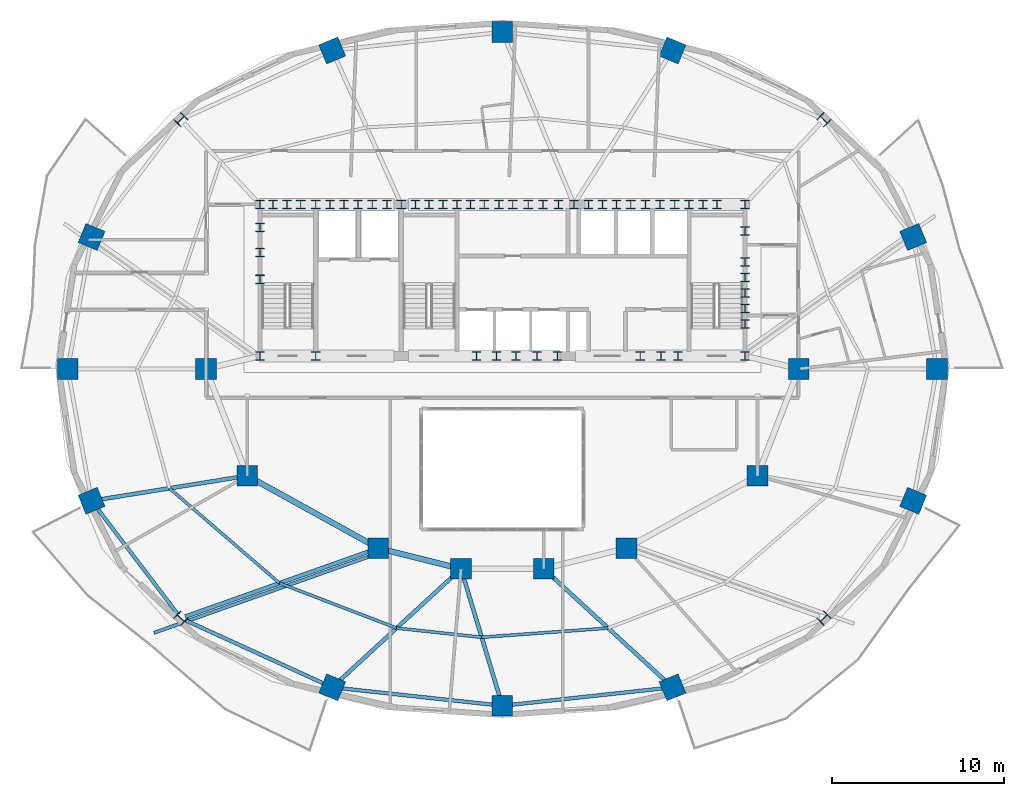
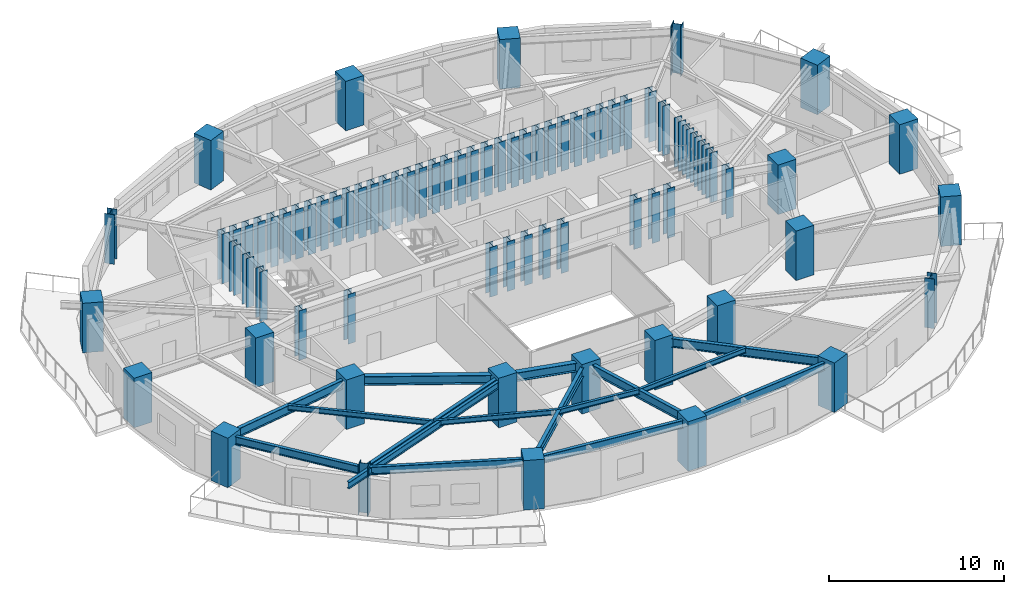
# One storey, part 1 of 13: 78 columns, 16 beams.
"""IFC4 building model written with IfcOpenShell, lengths in metres."""

from ifc_helpers import new_model, si_unit, direction, frame, origin, origin_2d, place, context, subcontext, project, spatial, rectangle, i_section, extrude, material, material_profile, profile_set, type_object, element, save


model = new_model("IFC4")

# Units and contexts
model_context = context("Model", 3, precision=1e-05, world=origin(), true_north=direction((0.0, 1.0)))
body_context = subcontext(model_context, "Body", "Model", "MODEL_VIEW")
ifc_project = project(units=[si_unit("LENGTHUNIT", "METRE"), si_unit("AREAUNIT", "SQUARE_METRE"), si_unit("VOLUMEUNIT", "CUBIC_METRE"), si_unit("PLANEANGLEUNIT", "RADIAN"), si_unit("MASSUNIT", "GRAM", prefix="KILO")], contexts=[model_context])

# Site, building, storey
site_placement = place(None, origin())
site = spatial("IfcSite", under=ifc_project, at=site_placement, CompositionType="ELEMENT")
building_placement = place(site_placement, origin())
building = spatial("IfcBuilding", under=site, at=building_placement, Name="Haldorwick Loom Tower", CompositionType="ELEMENT")
storey_placement = place(building_placement, frame((0.0, 0.0, 139.10009765625)))
storey = spatial("IfcBuildingStorey", under=building, at=storey_placement, Name="L37", CompositionType="ELEMENT", Elevation=139.10009765625)

# Columns
ifc_material_1 = material(Name="Concrete C60 (60 MPa)", Category="concrete")
ifc_material_profile_1 = material_profile(ifc_material_1, rectangle(XDim=1.199951171875, YDim=1.199951171875, at=origin_2d()), Name="RC1200X1200", Category="concrete")
ifc_profile_set_1 = profile_set([ifc_material_profile_1], Name="Concrete C60 (60 MPa)")
column_type_1 = type_object("IfcColumnType", Name="STR-COL-RC1200", PredefinedType="COLUMN", material=ifc_profile_set_1)
for number, where, z_axis, x_axis, name in (
    (1, (53.199951171875, 26.0, 0.0), (0.0, 0.0, 1.0), (1.0, 0.0, 0.0), "L37 Inner Column IC-01"),
    (2, (50.800048828125, 19.800048828125, 0.0), (0.0, 0.0, 1.0), (1.0, 0.0, 0.0), "L37 Inner Column IC-02"),
    (3, (43.199951171875, 15.60009765625, 0.0), (0.0, 0.0, 1.0), (1.0, 0.0, 0.0), "L37 Inner Column IC-03"),
    (4, (38.39990234375, 14.39990234375, 0.0), (0.0, 0.0, 1.0), (1.0, 0.0, 0.0), "L37 Inner Column IC-04"),
    (5, (33.60009765625, 14.39990234375, 0.0), (0.0, 0.0, 1.0), (1.0, 0.0, 0.0), "L37 Inner Column IC-05"),
    (6, (28.800048828125, 15.60009765625, 0.0), (0.0, 0.0, 1.0), (1.0, 0.0, 0.0), "L37 Inner Column IC-06"),
    (7, (21.199951171875, 19.800048828125, 0.0), (0.0, 0.0, 1.0), (1.0, 0.0, 0.0), "L37 Inner Column IC-07"),
    (8, (18.800048828125, 26.0, 0.0), (0.0, 0.0, 1.0), (1.0, 0.0, 0.0), "L37 Inner Column IC-08"),
    (9, (61.217041015625, 26.0, 0.0), (0.0, 0.0, 1.0), (1.0, 0.0, 0.0), "L37 Perimeter Pier Column P01"),
    (10, (59.836181640625, 33.65380859375, 0.0), (0.0, 0.0, 1.0), (0.923879532511, 0.382683432365, 0.0), "L37 Perimeter Pier Column P02"),
    (11, (45.873291015625, 44.4775390625, 0.0), (0.0, 0.0, 1.0), (0.382683432365, 0.923879532511, 0.0), "L37 Perimeter Pier Column P04"),
    (12, (36.0, 45.544677734375, 0.0), (0.0, 0.0, 1.0), (0.0, 1.0, 0.0), "L37 Perimeter Pier Column P05"),
    (13, (26.126708984375, 44.4775390625, 0.0), (0.0, 0.0, 1.0), (-0.382683432365, 0.923879532511, 0.0), "L37 Perimeter Pier Column P06"),
    (14, (12.163818359375, 33.65380859375, 0.0), (0.0, 0.0, 1.0), (-0.923879532511, 0.382683432365, 0.0), "L37 Perimeter Pier Column P08"),
    (15, (10.782958984375, 26.0, 0.0), (0.0, 0.0, 1.0), (-1.0, 0.0, 0.0), "L37 Perimeter Pier Column P09"),
    (16, (12.163818359375, 18.34619140625, 0.0), (0.0, 0.0, 1.0), (-0.923879532511, -0.382683432365, 0.0), "L37 Perimeter Pier Column P10"),
    (17, (26.126708984375, 7.5224609375, 0.0), (0.0, 0.0, 1.0), (-0.382683432365, -0.923879532511, 0.0), "L37 Perimeter Pier Column P12"),
    (18, (36.0, 6.455322265625, 0.0), (0.0, 0.0, 1.0), (0.0, -1.0, 0.0), "L37 Perimeter Pier Column P13"),
    (19, (45.873291015625, 7.5224609375, 0.0), (0.0, 0.0, 1.0), (0.382683432365, -0.923879532511, 0.0), "L37 Perimeter Pier Column P14"),
    (20, (59.836181640625, 18.34619140625, 0.0), (0.0, 0.0, 1.0), (0.923879532511, -0.382683432365, 0.0), "L37 Perimeter Pier Column P16"),
):
    element("IfcColumn", number, at=place(storey_placement, frame(where, z_axis=z_axis, x_axis=x_axis)), inside=storey, type_object=column_type_1, Name=name, PredefinedType="COLUMN", context=body_context, shape_type="SweptSolid", body=[
        extrude(rectangle(XDim=1.199951171875, YDim=1.199951171875, at=origin_2d()), origin(), (0.0, 0.0, 1.0), 3.449951171875),
    ])
ifc_material_2 = material(Name="Steel CSA G40.21 350WT", Category="steel")
ifc_material_profile_2 = material_profile(ifc_material_2, i_section(OverallWidth=0.5, OverallDepth=0.5, WebThickness=0.02197265625, FlangeThickness=0.031982421875, at=origin_2d()), Name="WWF500X500", Category="steel")
ifc_profile_set_2 = profile_set([ifc_material_profile_2], Name="Steel CSA G40.21 350WT")
column_type_2 = type_object("IfcColumnType", Name="STR-COL-WWF500", PredefinedType="COLUMN", material=ifc_profile_set_2)
for number, where, z_axis, x_axis, name in (
    (21, (21.929931640625, 35.550048828125, 0.0), (0.0, 0.0, 1.0), (1.0, 0.0, 0.0), "L37 Core Pilaster CB-01"),
    (22, (23.5, 35.550048828125, 0.0), (0.0, 0.0, 1.0), (1.0, 0.0, 0.0), "L37 Core Pilaster CB-02"),
    (23, (25.169921875, 35.550048828125, 0.0), (0.0, 0.0, 1.0), (1.0, 0.0, 0.0), "L37 Core Pilaster CB-03"),
    (24, (26.800048828125, 35.550048828125, 0.0), (0.0, 0.0, 1.0), (1.0, 0.0, 0.0), "L37 Core Pilaster CB-04"),
    (25, (28.449951171875, 35.550048828125, 0.0), (0.0, 0.0, 1.0), (1.0, 0.0, 0.0), "L37 Core Pilaster CB-05"),
    (26, (30.1298828125, 35.550048828125, 0.0), (0.0, 0.0, 1.0), (1.0, 0.0, 0.0), "L37 Core Pilaster CB-06"),
    (27, (31.75, 35.550048828125, 0.0), (0.0, 0.0, 1.0), (1.0, 0.0, 0.0), "L37 Core Pilaster CB-07"),
    (28, (33.3701171875, 35.550048828125, 0.0), (0.0, 0.0, 1.0), (1.0, 0.0, 0.0), "L37 Core Pilaster CB-08"),
    (29, (34.949951171875, 35.550048828125, 0.0), (0.0, 0.0, 1.0), (1.0, 0.0, 0.0), "L37 Core Pilaster CB-09"),
    (30, (36.60009765625, 35.550048828125, 0.0), (0.0, 0.0, 1.0), (1.0, 0.0, 0.0), "L37 Core Pilaster CB-10"),
    (31, (38.35009765625, 35.550048828125, 0.0), (0.0, 0.0, 1.0), (1.0, 0.0, 0.0), "L37 Core Pilaster CB-11"),
    (32, (40.14990234375, 35.550048828125, 0.0), (0.0, 0.0, 1.0), (1.0, 0.0, 0.0), "L37 Core Pilaster CB-12"),
    (33, (41.800048828125, 35.550048828125, 0.0), (0.0, 0.0, 1.0), (1.0, 0.0, 0.0), "L37 Core Pilaster CB-13"),
    (34, (43.449951171875, 35.550048828125, 0.0), (0.0, 0.0, 1.0), (1.0, 0.0, 0.0), "L37 Core Pilaster CB-14"),
    (35, (45.14990234375, 35.550048828125, 0.0), (0.0, 0.0, 1.0), (1.0, 0.0, 0.0), "L37 Core Pilaster CB-15"),
    (36, (46.830078125, 35.550048828125, 0.0), (0.0, 0.0, 1.0), (1.0, 0.0, 0.0), "L37 Core Pilaster CB-16"),
    (37, (48.449951171875, 35.550048828125, 0.0), (0.0, 0.0, 1.0), (1.0, 0.0, 0.0), "L37 Core Pilaster CB-17"),
    (38, (50.070068359375, 35.550048828125, 0.0), (0.0, 0.0, 1.0), (1.0, 0.0, 0.0), "L37 Core Pilaster CB-18"),
    (39, (21.929931640625, 26.75, 0.0), (0.0, 0.0, 1.0), (1.0, 0.0, 0.0), "L37 Core Pilaster CB-19"),
    (40, (25.169921875, 26.75, 0.0), (0.0, 0.0, 1.0), (1.0, 0.0, 0.0), "L37 Core Pilaster CB-20"),
    (41, (34.5, 26.75, 0.0), (0.0, 0.0, 1.0), (1.0, 0.0, 0.0), "L37 Core Pilaster CB-21"),
    (42, (36.800048828125, 26.75, 0.0), (0.0, 0.0, 1.0), (1.0, 0.0, 0.0), "L37 Core Pilaster CB-22"),
    (43, (39.199951171875, 26.75, 0.0), (0.0, 0.0, 1.0), (1.0, 0.0, 0.0), "L37 Core Pilaster CB-23"),
    (44, (45.199951171875, 26.75, 0.0), (0.0, 0.0, 1.0), (1.0, 0.0, 0.0), "L37 Core Pilaster CB-24"),
    (45, (50.070068359375, 26.75, 0.0), (0.0, 0.0, 1.0), (1.0, 0.0, 0.0), "L37 Core Pilaster CB-25"),
    (46, (21.929931640625, 31.199951171875, 0.0), (0.0, 0.0, 1.0), (1.0, 0.0, 0.0), "L37 Core Pilaster CB-26"),
    (47, (21.929931640625, 32.75, 0.0), (0.0, 0.0, 1.0), (1.0, 0.0, 0.0), "L37 Core Pilaster CB-27"),
    (48, (21.929931640625, 34.199951171875, 0.0), (0.0, 0.0, 1.0), (1.0, 0.0, 0.0), "L37 Core Pilaster CB-28"),
    (49, (50.070068359375, 28.60009765625, 0.0), (0.0, 0.0, 1.0), (1.0, 0.0, 0.0), "L37 Core Pilaster CB-29"),
    (50, (50.070068359375, 30.39990234375, 0.0), (0.0, 0.0, 1.0), (1.0, 0.0, 0.0), "L37 Core Pilaster CB-30"),
    (51, (50.070068359375, 32.199951171875, 0.0), (0.0, 0.0, 1.0), (1.0, 0.0, 0.0), "L37 Core Pilaster CB-31"),
    (52, (50.070068359375, 34.0, 0.0), (0.0, 0.0, 1.0), (1.0, 0.0, 0.0), "L37 Core Pilaster CB-32"),
    (53, (22.699951171875, 35.550048828125, 0.0), (0.0, 0.0, 1.0), (1.0, 0.0, 0.0), "L37 Core Pilaster CB-33"),
    (54, (27.6201171875, 35.550048828125, 0.0), (0.0, 0.0, 1.0), (1.0, 0.0, 0.0), "L37 Core Pilaster CB-34"),
    (55, (32.550048828125, 35.550048828125, 0.0), (0.0, 0.0, 1.0), (1.0, 0.0, 0.0), "L37 Core Pilaster CB-35"),
    (56, (37.5, 35.550048828125, 0.0), (0.0, 0.0, 1.0), (1.0, 0.0, 0.0), "L37 Core Pilaster CB-36"),
    (57, (42.6201171875, 35.550048828125, 0.0), (0.0, 0.0, 1.0), (1.0, 0.0, 0.0), "L37 Core Pilaster CB-37"),
    (58, (47.64990234375, 35.550048828125, 0.0), (0.0, 0.0, 1.0), (1.0, 0.0, 0.0), "L37 Core Pilaster CB-38"),
    (59, (24.300048828125, 35.550048828125, 0.0), (0.0, 0.0, 1.0), (1.0, 0.0, 0.0), "L37 Core Pilaster CB-39"),
    (60, (26.0, 35.550048828125, 0.0), (0.0, 0.0, 1.0), (1.0, 0.0, 0.0), "L37 Core Pilaster CB-40"),
    (61, (29.300048828125, 35.550048828125, 0.0), (0.0, 0.0, 1.0), (1.0, 0.0, 0.0), "L37 Core Pilaster CB-41"),
    (62, (30.949951171875, 35.550048828125, 0.0), (0.0, 0.0, 1.0), (1.0, 0.0, 0.0), "L37 Core Pilaster CB-42"),
    (63, (34.14990234375, 35.550048828125, 0.0), (0.0, 0.0, 1.0), (1.0, 0.0, 0.0), "L37 Core Pilaster CB-43"),
    (64, (35.800048828125, 35.550048828125, 0.0), (0.0, 0.0, 1.0), (1.0, 0.0, 0.0), "L37 Core Pilaster CB-44"),
    (65, (39.25, 35.550048828125, 0.0), (0.0, 0.0, 1.0), (1.0, 0.0, 0.0), "L37 Core Pilaster CB-45"),
    (66, (41.0, 35.550048828125, 0.0), (0.0, 0.0, 1.0), (1.0, 0.0, 0.0), "L37 Core Pilaster CB-46"),
    (67, (44.300048828125, 35.550048828125, 0.0), (0.0, 0.0, 1.0), (1.0, 0.0, 0.0), "L37 Core Pilaster CB-47"),
    (68, (46.0, 35.550048828125, 0.0), (0.0, 0.0, 1.0), (1.0, 0.0, 0.0), "L37 Core Pilaster CB-48"),
    (69, (50.070068359375, 29.5, 0.0), (0.0, 0.0, 1.0), (1.0, 0.0, 0.0), "L37 Core Pilaster CB-49"),
    (70, (50.070068359375, 31.300048828125, 0.0), (0.0, 0.0, 1.0), (1.0, 0.0, 0.0), "L37 Core Pilaster CB-50"),
    (71, (35.64990234375, 26.75, 0.0), (0.0, 0.0, 1.0), (1.0, 0.0, 0.0), "L37 Core Pilaster CB-51"),
    (72, (38.0, 26.75, 0.0), (0.0, 0.0, 1.0), (1.0, 0.0, 0.0), "L37 Core Pilaster CB-52"),
    (73, (44.0, 26.75, 0.0), (0.0, 0.0, 1.0), (1.0, 0.0, 0.0), "L37 Core Pilaster CB-53"),
    (74, (46.199951171875, 26.75, 0.0), (0.0, 0.0, 1.0), (1.0, 0.0, 0.0), "L37 Core Pilaster CB-54"),
):
    element("IfcColumn", number, at=place(storey_placement, frame(where, z_axis=z_axis, x_axis=x_axis)), inside=storey, type_object=column_type_2, Name=name, PredefinedType="COLUMN", context=body_context, shape_type="SweptSolid", body=[
        extrude(i_section(OverallWidth=0.5, OverallDepth=0.5, WebThickness=0.02197265625, FlangeThickness=0.031982421875, at=origin_2d()), origin(), (0.0, 0.0, 1.0), 3.449951171875),
    ])
ifc_material_profile_3 = material_profile(ifc_material_2, i_section(OverallWidth=0.60009765625, OverallDepth=0.60009765625, WebThickness=0.02490234375, FlangeThickness=0.035888671875, at=origin_2d()), Name="WWF600X600", Category="steel")
ifc_profile_set_3 = profile_set([ifc_material_profile_3], Name="Steel CSA G40.21 350WT")
column_type_3 = type_object("IfcColumnType", Name="STR-COL-WWF600", PredefinedType="COLUMN", material=ifc_profile_set_3)
for number, where, z_axis, x_axis, name in (
    (75, (54.655517578125, 40.464111328125, 0.0), (0.0, 0.0, 1.0), (0.707106781187, 0.707106781187, 0.0), "L37 Perimeter Pier Column P03"),
    (76, (17.344482421875, 40.464111328125, 0.0), (0.0, 0.0, 1.0), (-0.707106781187, 0.707106781187, 0.0), "L37 Perimeter Pier Column P07"),
    (77, (17.344482421875, 11.535888671875, 0.0), (0.0, 0.0, 1.0), (-0.707106781187, -0.707106781187, 0.0), "L37 Perimeter Pier Column P11"),
    (78, (54.655517578125, 11.535888671875, 0.0), (0.0, 0.0, 1.0), (0.707106781187, -0.707106781187, 0.0), "L37 Perimeter Pier Column P15"),
):
    element("IfcColumn", number, at=place(storey_placement, frame(where, z_axis=z_axis, x_axis=x_axis)), inside=storey, type_object=column_type_3, Name=name, PredefinedType="COLUMN", context=body_context, shape_type="SweptSolid", body=[
        extrude(i_section(OverallWidth=0.60009765625, OverallDepth=0.60009765625, WebThickness=0.02490234375, FlangeThickness=0.035888671875, at=origin_2d()), origin(), (0.0, 0.0, 1.0), 3.449951171875),
    ])

# Beams
ifc_material_3 = material(Name="Steel CSA G40.21 350W", Category="steel")
ifc_material_profile_4 = material_profile(ifc_material_3, i_section(OverallWidth=0.193115234375, OverallDepth=0.466064453125, WebThickness=0.011474609375, FlangeThickness=0.01904296875, at=origin_2d()), Name="W460X97", Category="steel")
ifc_profile_set_4 = profile_set([ifc_material_profile_4], Name="Steel CSA G40.21 350W")
beam_type_1 = type_object("IfcBeamType", Name="STR-BM-BAL460", PredefinedType="BEAM", material=ifc_profile_set_4)
beam_1_placement = place(storey_placement, frame((28.403564453125, 15.162109375, 2.976806640625), z_axis=(-0.942447955832, -0.334352883266, 0.0), x_axis=(0.334352883266, -0.942447955832, 0.0)))
element("IfcBeam", 79, at=beam_1_placement, inside=storey, type_object=beam_type_1, Name="L37 Continuous Back-Spanned Balcony Beam 2", PredefinedType="BEAM", context=body_context, shape_type="SweptSolid", body=[
    extrude(i_section(OverallWidth=0.193115234375, OverallDepth=0.466064453125, WebThickness=0.011474609375, FlangeThickness=0.01904296875, at=origin_2d()), origin(), (0.0, 0.0, 1.0), 13.385009765625),
])
ifc_material_profile_5 = material_profile(ifc_material_3, i_section(OverallWidth=0.172119140625, OverallDepth=0.35791015625, WebThickness=0.0078125, FlangeThickness=0.01318359375, at=origin_2d()), Name="W360X57", Category="steel")
ifc_profile_set_5 = profile_set([ifc_material_profile_5], Name="Steel CSA G40.21 350W")
beam_type_2 = type_object("IfcBeamType", Name="STR-BM-J360", PredefinedType="JOIST", material=ifc_profile_set_5)
beam_2_placement = place(storey_placement, frame((16.681884765625, 19.072998046875, 3.031005859375), z_axis=(0.75763401328, -0.652679631918, 0.0), x_axis=(0.652679631918, 0.75763401328, 0.0)))
element("IfcBeam", 80, at=beam_2_placement, inside=storey, type_object=beam_type_2, Name="L37 Mid-Bay Secondary Joist 10", PredefinedType="JOIST", context=body_context, shape_type="SweptSolid", body=[
    extrude(i_section(OverallWidth=0.172119140625, OverallDepth=0.35791015625, WebThickness=0.0078125, FlangeThickness=0.01318359375, at=origin_2d()), origin(), (0.0, 0.0, 1.0), 8.4345703125),
])
beam_3_placement = place(storey_placement, frame((23.072265625, 13.56787109375, 3.031005859375), z_axis=(0.933586737031, -0.358351509609, 0.0), x_axis=(0.358351509609, 0.933586737031, 0.0)))
element("IfcBeam", 81, at=beam_3_placement, inside=storey, type_object=beam_type_2, Name="L37 Mid-Bay Secondary Joist 11", PredefinedType="JOIST", context=body_context, shape_type="SweptSolid", body=[
    extrude(i_section(OverallWidth=0.172119140625, OverallDepth=0.35791015625, WebThickness=0.0078125, FlangeThickness=0.01318359375, at=origin_2d()), origin(), (0.0, 0.0, 1.0), 7.274169921875),
])
beam_4_placement = place(storey_placement, frame((29.86328125, 10.961181640625, 3.031005859375), z_axis=(0.994212584227, -0.107430616514, 0.0), x_axis=(0.107430616514, 0.994212584227, 0.0)))
element("IfcBeam", 82, at=beam_4_placement, inside=storey, type_object=beam_type_2, Name="L37 Mid-Bay Secondary Joist 12", PredefinedType="JOIST", context=body_context, shape_type="SweptSolid", body=[
    extrude(i_section(OverallWidth=0.172119140625, OverallDepth=0.35791015625, WebThickness=0.0078125, FlangeThickness=0.01318359375, at=origin_2d()), origin(), (0.0, 0.0, 1.0), 4.965576171875),
])
beam_5_placement = place(storey_placement, frame((34.800048828125, 10.427734375, 3.031005859375), z_axis=(0.997367082818, 0.072518288109, 0.0), x_axis=(-0.072518288109, 0.997367082818, 0.0)))
element("IfcBeam", 83, at=beam_5_placement, inside=storey, type_object=beam_type_2, Name="L37 Mid-Bay Secondary Joist 13", PredefinedType="JOIST", context=body_context, shape_type="SweptSolid", body=[
    extrude(i_section(OverallWidth=0.172119140625, OverallDepth=0.35791015625, WebThickness=0.0078125, FlangeThickness=0.01318359375, at=origin_2d()), origin(), (0.0, 0.0, 1.0), 7.35595703125),
])
ifc_material_profile_6 = material_profile(ifc_material_3, i_section(OverallWidth=0.2119140625, OverallDepth=0.5439453125, WebThickness=0.01318359375, FlangeThickness=0.021240234375, at=origin_2d()), Name="W530X123", Category="steel")
ifc_profile_set_6 = profile_set([ifc_material_profile_6], Name="Steel CSA G40.21 350W")
beam_type_3 = type_object("IfcBeamType", Name="STR-BM-SP530", PredefinedType="SPANDREL", material=ifc_profile_set_6)
beam_6_placement = place(storey_placement, frame((12.478759765625, 17.932373046875, 2.93798828125), z_axis=(0.605421356486, -0.795905133236, 0.0), x_axis=(0.795905133236, 0.605421356486, 0.0)))
element("IfcBeam", 84, at=beam_6_placement, inside=storey, type_object=beam_type_3, Name="L37 Perimeter Spandrel 10", PredefinedType="SPANDREL", context=body_context, shape_type="SweptSolid", body=[
    extrude(i_section(OverallWidth=0.2119140625, OverallDepth=0.5439453125, WebThickness=0.01318359375, FlangeThickness=0.021240234375, at=origin_2d()), origin(), (0.0, 0.0, 1.0), 7.761962890625),
])
beam_7_placement = place(storey_placement, frame((17.594482421875, 11.42138671875, 2.93798828125), z_axis=(0.909534296496, -0.415628877121, 0.0), x_axis=(0.415628877121, 0.909534296496, 0.0)))
element("IfcBeam", 85, at=beam_7_placement, inside=storey, type_object=beam_type_3, Name="L37 Perimeter Spandrel 11", PredefinedType="SPANDREL", context=body_context, shape_type="SweptSolid", body=[
    extrude(i_section(OverallWidth=0.2119140625, OverallDepth=0.5439453125, WebThickness=0.01318359375, FlangeThickness=0.021240234375, at=origin_2d()), origin(), (0.0, 0.0, 1.0), 8.86083984375),
])
for number, where, z_axis, x_axis, name in (
    (86, (26.643798828125, 7.466552734375, 2.93798828125), (0.994210140187, -0.107453232386, 0.0), (0.107453232386, 0.994210140187, 0.0), "L37 Perimeter Spandrel 12"),
    (87, (36.51708984375, 6.51123046875, 2.93798828125), (0.994210140187, 0.107453232386, 0.0), (-0.107453232386, 0.994210140187, 0.0), "L37 Perimeter Spandrel 13"),
):
    element("IfcBeam", number, at=place(storey_placement, frame(where, z_axis=z_axis, x_axis=x_axis)), inside=storey, type_object=beam_type_3, Name=name, PredefinedType="SPANDREL", context=body_context, shape_type="SweptSolid", body=[
        extrude(i_section(OverallWidth=0.2119140625, OverallDepth=0.5439453125, WebThickness=0.01318359375, FlangeThickness=0.021240234375, at=origin_2d()), origin(), (0.0, 0.0, 1.0), 8.890625),
    ])
ifc_material_profile_7 = material_profile(ifc_material_3, i_section(OverallWidth=0.324951171875, OverallDepth=0.615966796875, WebThickness=0.013916015625, FlangeThickness=0.021484375, at=origin_2d()), Name="W610X174", Category="steel")
ifc_profile_set_7 = profile_set([ifc_material_profile_7], Name="Steel CSA G40.21 350W")
beam_type_4 = type_object("IfcBeamType", Name="STR-BM-W610A", PredefinedType="BEAM", material=ifc_profile_set_7)
beam_8_placement = place(storey_placement, frame((33.095458984375, 14.526123046875, 2.90185546875), z_axis=(-0.970142500145, 0.242535625036, 0.0), x_axis=(-0.242535625036, -0.970142500145, 0.0)))
element("IfcBeam", 88, at=beam_8_placement, inside=storey, type_object=beam_type_4, Name="L37 Inner Ring Girder 6", PredefinedType="BEAM", context=body_context, shape_type="SweptSolid", body=[
    extrude(i_section(OverallWidth=0.324951171875, OverallDepth=0.615966796875, WebThickness=0.013916015625, FlangeThickness=0.021484375, at=origin_2d()), origin(), (0.0, 0.0, 1.0), 3.90771484375),
])
beam_9_placement = place(storey_placement, frame((28.344970703125, 15.8515625, 2.90185546875), z_axis=(-0.875244382146, 0.483680960471, 0.0), x_axis=(-0.483680960471, -0.875244382146, 0.0)))
element("IfcBeam", 89, at=beam_9_placement, inside=storey, type_object=beam_type_4, Name="L37 Inner Ring Girder 7", PredefinedType="BEAM", context=body_context, shape_type="SweptSolid", body=[
    extrude(i_section(OverallWidth=0.324951171875, OverallDepth=0.615966796875, WebThickness=0.013916015625, FlangeThickness=0.021484375, at=origin_2d()), origin(), (0.0, 0.0, 1.0), 7.6435546875),
])
ifc_material_profile_8 = material_profile(ifc_material_3, i_section(OverallWidth=0.22998046875, OverallDepth=0.616943359375, WebThickness=0.01318359375, FlangeThickness=0.022216796875, at=origin_2d()), Name="W610X140", Category="steel")
ifc_profile_set_8 = profile_set([ifc_material_profile_8], Name="Steel CSA G40.21 350W")
beam_type_5 = type_object("IfcBeamType", Name="STR-BM-W610B", PredefinedType="BEAM", material=ifc_profile_set_8)
beam_10_placement = place(storey_placement, frame((20.6865234375, 19.71728515625, 2.9013671875), z_axis=(-0.987308639475, -0.158813256432, 0.0), x_axis=(0.158813256432, -0.987308639475, 0.0)))
element("IfcBeam", 90, at=beam_10_placement, inside=storey, type_object=beam_type_5, Name="L37 Radial Floor Girder 10", PredefinedType="BEAM", context=body_context, shape_type="SweptSolid", body=[
    extrude(i_section(OverallWidth=0.22998046875, OverallDepth=0.616943359375, WebThickness=0.01318359375, FlangeThickness=0.022216796875, at=origin_2d()), origin(), (0.0, 0.0, 1.0), 8.1123046875),
])
beam_11_placement = place(storey_placement, frame((28.309814453125, 15.426025390625, 2.9013671875), z_axis=(-0.9424463153, -0.334357507433, 0.0), x_axis=(0.334357507433, -0.9424463153, 0.0)))
element("IfcBeam", 91, at=beam_11_placement, inside=storey, type_object=beam_type_5, Name="L37 Radial Floor Girder 11", PredefinedType="BEAM", context=body_context, shape_type="SweptSolid", body=[
    extrude(i_section(OverallWidth=0.22998046875, OverallDepth=0.616943359375, WebThickness=0.01318359375, FlangeThickness=0.022216796875, at=origin_2d()), origin(), (0.0, 0.0, 1.0), 11.360107421875),
])
beam_12_placement = place(storey_placement, frame((33.21728515625, 14.0478515625, 2.9013671875), z_axis=(-0.735810902934, -0.677187060658, 0.0), x_axis=(0.677187060658, -0.735810902934, 0.0)))
element("IfcBeam", 92, at=beam_12_placement, inside=storey, type_object=beam_type_5, Name="L37 Radial Floor Girder 12", PredefinedType="BEAM", context=body_context, shape_type="SweptSolid", body=[
    extrude(i_section(OverallWidth=0.22998046875, OverallDepth=0.616943359375, WebThickness=0.01318359375, FlangeThickness=0.022216796875, at=origin_2d()), origin(), (0.0, 0.0, 1.0), 9.1162109375),
])
beam_13_placement = place(storey_placement, frame((33.75048828125, 13.902099609375, 2.9013671875), z_axis=(0.28917091681, -0.957277483738, 0.0), x_axis=(0.957277483738, 0.28917091681, 0.0)))
element("IfcBeam", 93, at=beam_13_placement, inside=storey, type_object=beam_type_5, Name="L37 Radial Floor Girder 13", PredefinedType="BEAM", context=body_context, shape_type="SweptSolid", body=[
    extrude(i_section(OverallWidth=0.22998046875, OverallDepth=0.616943359375, WebThickness=0.01318359375, FlangeThickness=0.022216796875, at=origin_2d()), origin(), (0.0, 0.0, 1.0), 7.259033203125),
])
beam_14_placement = place(storey_placement, frame((38.78271484375, 14.0478515625, 2.9013671875), z_axis=(0.735810902934, -0.677187060658, 0.0), x_axis=(0.677187060658, 0.735810902934, 0.0)))
element("IfcBeam", 94, at=beam_14_placement, inside=storey, type_object=beam_type_5, Name="L37 Radial Floor Girder 14", PredefinedType="BEAM", context=body_context, shape_type="SweptSolid", body=[
    extrude(i_section(OverallWidth=0.22998046875, OverallDepth=0.616943359375, WebThickness=0.01318359375, FlangeThickness=0.022216796875, at=origin_2d()), origin(), (0.0, 0.0, 1.0), 9.1162109375),
])

save(model, "model.ifc")
